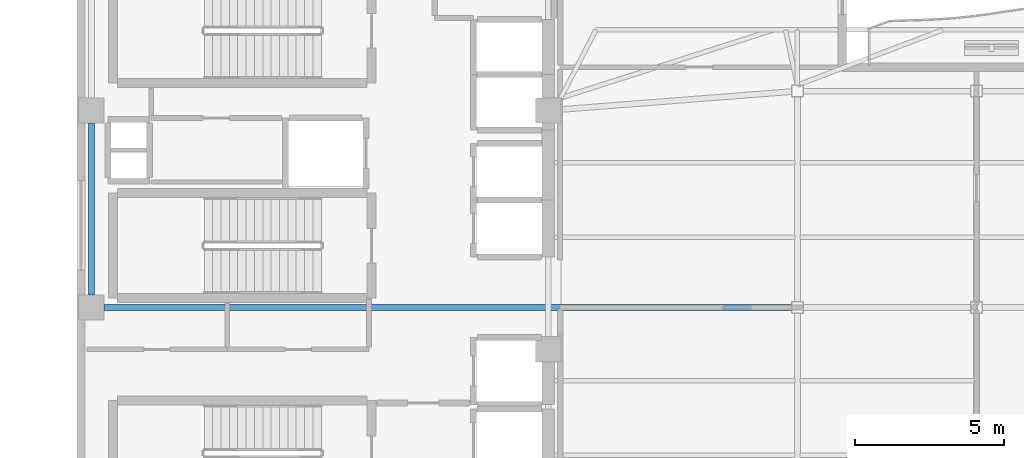
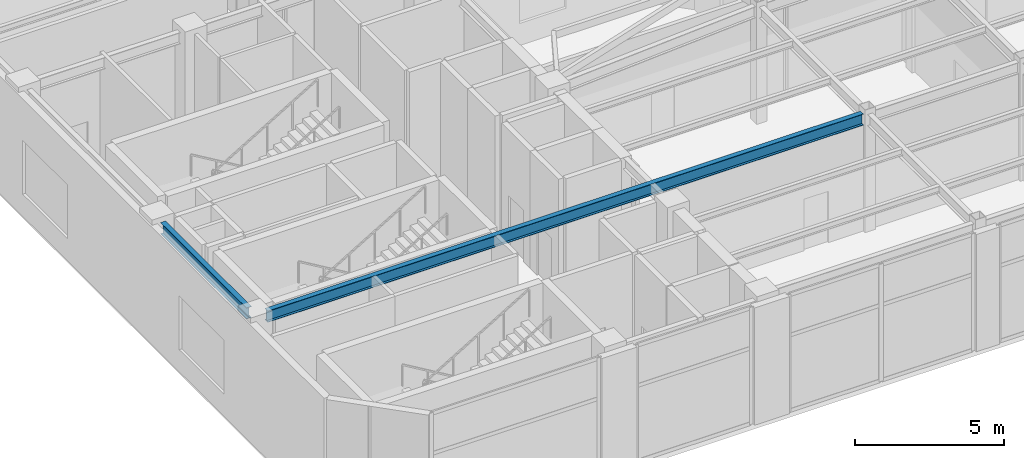
# One storey, part 3 of 14: 2 beams.
"""IFC4 building model written with IfcOpenShell, lengths in metres."""

from ifc_helpers import new_model, si_unit, direction, frame, origin, origin_2d, place, context, subcontext, project, spatial, i_section, extrude, material, material_profile, profile_set, type_object, element, save


model = new_model("IFC4")

# Units and contexts
model_context = context("Model", 3, precision=1e-05, world=origin(), true_north=direction((0.0, 1.0)))
body_context = subcontext(model_context, "Body", "Model", "MODEL_VIEW")
ifc_project = project(units=[si_unit("LENGTHUNIT", "METRE"), si_unit("AREAUNIT", "SQUARE_METRE"), si_unit("VOLUMEUNIT", "CUBIC_METRE"), si_unit("PLANEANGLEUNIT", "RADIAN"), si_unit("MASSUNIT", "GRAM", prefix="KILO")], contexts=[model_context])

# Site, building, storey
site_placement = place(None, origin())
site = spatial("IfcSite", under=ifc_project, at=site_placement, CompositionType="ELEMENT")
building_placement = place(site_placement, origin())
building = spatial("IfcBuilding", under=site, at=building_placement, Name="Mawjaban Terraces University", CompositionType="ELEMENT")
storey_placement = place(building_placement, frame((0.0, 0.0, 243.199951171875)))
storey = spatial("IfcBuildingStorey", under=building, at=storey_placement, Name="L59", CompositionType="ELEMENT", Elevation=243.199951171875)

# Beams
ifc_material = material(Name="Steel ASTM A572 Grade 50", Category="steel")
ifc_material_profile = material_profile(ifc_material, i_section(OverallWidth=0.19189453125, OverallDepth=0.462890625, WebThickness=0.010498046875, FlangeThickness=0.017578125, at=origin_2d()), Name="W460X89")
ifc_profile_set = profile_set([ifc_material_profile], Name="Steel ASTM A572 Grade 50")
beam_type = type_object("IfcBeamType", Name="Beam_B_W460X89", PredefinedType="BEAM", material=ifc_profile_set)
beam_1_placement = place(storey_placement, frame((22.77490234375, 7.949951171875, 4.55810546875), z_axis=(1.0, 0.0, 0.0), x_axis=(0.0, 1.0, 0.0)))
element("IfcBeam", 1, at=beam_1_placement, inside=storey, type_object=beam_type, Name="L59 Beam BM-L59-EW-03", PredefinedType="BEAM", context=body_context, shape_type="SweptSolid", body=[
    extrude(i_section(OverallWidth=0.19189453125, OverallDepth=0.462890625, WebThickness=0.010498046875, FlangeThickness=0.017578125, at=origin_2d()), origin(), (0.0, 0.0, 1.0), 23.025146484375),
])
beam_2_placement = place(storey_placement, frame((22.35009765625, 8.375, 4.55810546875), z_axis=(0.0, 1.0, 0.0), x_axis=(-1.0, 0.0, 0.0)))
element("IfcBeam", 2, at=beam_2_placement, inside=storey, type_object=beam_type, Name="L59 Beam BM-L59-NS-01", PredefinedType="BEAM", context=body_context, shape_type="SweptSolid", body=[
    extrude(i_section(OverallWidth=0.19189453125, OverallDepth=0.462890625, WebThickness=0.010498046875, FlangeThickness=0.017578125, at=origin_2d()), origin(), (0.0, 0.0, 1.0), 5.75),
])

save(model, "model.ifc")
